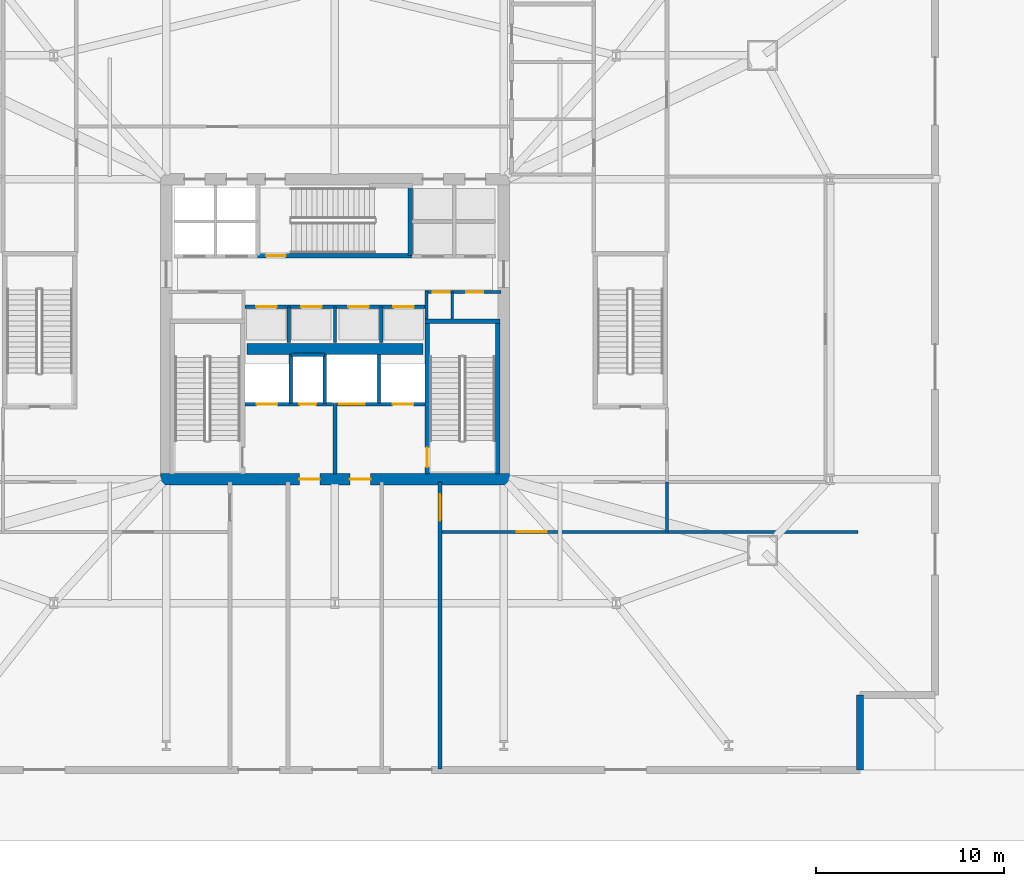
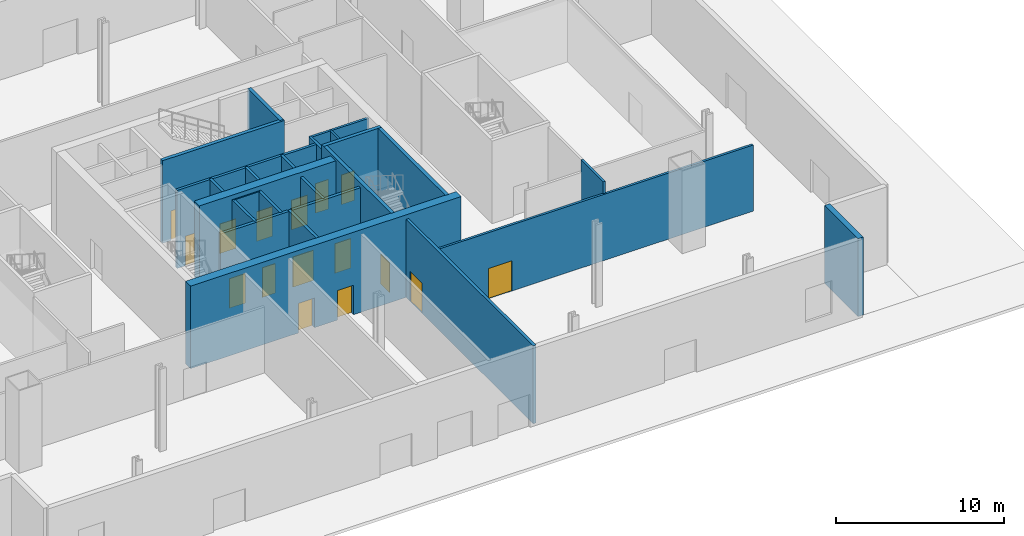
# One storey, part 4 of 10: 25 walls, 16 doors, 16 openings.
"""IFC4 building model written with IfcOpenShell, lengths in metres."""

from ifc_helpers import new_model, si_unit, direction, frame, frame_2d, origin, place, context, subcontext, project, spatial, rectangle, extrude, material, layer, layer_set, type_object, element, fill, save


model = new_model("IFC4")

# Units and contexts
model_context = context("Model", 3, precision=1e-05, world=origin(), true_north=direction((0.0, 1.0)))
body_context = subcontext(model_context, "Body", "Model", "MODEL_VIEW")
ifc_project = project(units=[si_unit("LENGTHUNIT", "METRE"), si_unit("AREAUNIT", "SQUARE_METRE"), si_unit("VOLUMEUNIT", "CUBIC_METRE"), si_unit("PLANEANGLEUNIT", "RADIAN"), si_unit("MASSUNIT", "GRAM", prefix="KILO")], contexts=[model_context])

# Site, building, storey
site_placement = place(None, origin())
site = spatial("IfcSite", under=ifc_project, at=site_placement, CompositionType="ELEMENT")
building_placement = place(site_placement, origin())
building = spatial("IfcBuilding", under=site, at=building_placement, Name="Haldenkirk Collegiate Tower", CompositionType="ELEMENT")
storey_placement = place(building_placement, origin())
storey = spatial("IfcBuildingStorey", under=building, at=storey_placement, Name="L00", CompositionType="ELEMENT", Elevation=0.0)

# Wall, openings, doors
ifc_material_1 = material(Name="Concrete f'c 70 MPa", Category="concrete")
ifc_layer_1 = layer(ifc_material_1, 0.60009765625)
ifc_layer_set_1 = layer_set([ifc_layer_1], Name="Concrete f'c 70 MPa")
wall_type_1 = type_object("IfcWallType", Name="WL-CORE-600", PredefinedType="SHEAR", material=ifc_layer_set_1)
wall_1_placement = place(storey_placement, frame((26.699951171875, 18.0, 0.0), z_axis=(0.0, 0.0, 1.0), x_axis=(1.0, 0.0, 0.0)))
wall_1 = element("IfcWall", 1, at=wall_1_placement, inside=storey, type_object=wall_type_1, Name="L00 central core shear wall S", PredefinedType="SHEAR", context=body_context, shape_type="SweptSolid", body=[
    extrude(rectangle(XDim=18.60009765625, YDim=0.60009765625, at=frame_2d((9.300048828125, 0.0))), origin(), (0.0, 0.0, 1.0), 6.0),
])
opening_1_placement = place(wall_1_placement, frame((7.39990234375, 0.0, 0.0)))
opening_1 = element("IfcOpeningElement", 2, at=opening_1_placement, cuts=wall_1, Name="Opening D-02", PredefinedType="OPENING", context=body_context, shape_type="SweptSolid", body=[
    extrude(rectangle(XDim=1.10009765625, YDim=2.14990234375, at=frame_2d((0.550048828125, 1.074951171875))), frame((0.0, 0.31005859375, 0.0), z_axis=(0.0, -1.0, 0.0), x_axis=(1.0, 0.0, 0.0)), (0.0, 0.0, 1.0), 0.6201171875),
])
opening_2_placement = place(wall_1_placement, frame((10.10009765625, 0.0, 0.0)))
opening_2 = element("IfcOpeningElement", 3, at=opening_2_placement, cuts=wall_1, Name="Opening D-02", PredefinedType="OPENING", context=body_context, shape_type="SweptSolid", body=[
    extrude(rectangle(XDim=1.10009765625, YDim=2.14990234375, at=frame_2d((0.550048828125, 1.074951171875))), frame((0.0, 0.31005859375, 0.0), z_axis=(0.0, -1.0, 0.0), x_axis=(1.0, 0.0, 0.0)), (0.0, 0.0, 1.0), 0.6201171875),
])
ifc_material_2 = material(Name="Galvanized fire-rated hollow steel door", Category="steel")
ifc_layer_2 = layer(ifc_material_2, 0.06005859375)
ifc_layer_set_2 = layer_set([ifc_layer_2], Name="Galvanized fire-rated hollow steel door")
door_type_1 = type_object("IfcDoorType", Name="DR-STAIR-FD90-1100", OperationType="NOTDEFINED", PredefinedType="DOOR", material=ifc_layer_set_2)
door_1_placement = place(opening_1_placement, origin())
door_1 = element("IfcDoor", 4, at=door_1_placement, inside=storey, type_object=door_type_1, Name="L00 Firefighting Lobby 1 door", OperationType="SINGLE_SWING_LEFT", OverallHeight=2.14990234375, OverallWidth=1.10009765625, PredefinedType="DOOR", context=body_context, shape_type="SweptSolid", body=[
    extrude(rectangle(XDim=1.10009765625, YDim=2.14990234375, at=frame_2d((0.550048828125, 1.074951171875))), frame((0.0, 0.02490234375, 0.0), z_axis=(0.0, -1.0, 0.0), x_axis=(1.0, 0.0, 0.0)), (0.0, 0.0, 1.0), 0.050048828125),
])
fill(opening_1, door_1)
door_2_placement = place(opening_2_placement, origin())
door_2 = element("IfcDoor", 5, at=door_2_placement, inside=storey, type_object=door_type_1, Name="L00 Firefighting Lobby 2 door", OperationType="SINGLE_SWING_RIGHT", OverallHeight=2.14990234375, OverallWidth=1.10009765625, PredefinedType="DOOR", context=body_context, shape_type="SweptSolid", body=[
    extrude(rectangle(XDim=1.10009765625, YDim=2.14990234375, at=frame_2d((0.550048828125, 1.074951171875))), frame((0.0, 0.02490234375, 0.0), z_axis=(0.0, -1.0, 0.0), x_axis=(1.0, 0.0, 0.0)), (0.0, 0.0, 1.0), 0.050048828125),
])
fill(opening_2, door_2)

# Walls
wall_2_placement = place(storey_placement, frame((31.31005859375, 24.949951171875, 0.0), z_axis=(0.0, 0.0, 1.0), x_axis=(1.0, 0.0, 0.0)))
element("IfcWall", 6, at=wall_2_placement, inside=storey, type_object=wall_type_1, Name="L00 central core spine shear wall", PredefinedType="SHEAR", context=body_context, shape_type="SweptSolid", body=[
    extrude(rectangle(XDim=9.3798828125, YDim=0.60009765625, at=frame_2d((4.68994140625, 0.0))), origin(), (0.0, 0.0, 1.0), 6.0),
])
ifc_material_3 = material(Name="Precast concrete f'c 40 MPa", Category="concrete")
ifc_layer_3 = layer(ifc_material_3, 0.360107421875)
ifc_layer_set_3 = layer_set([ifc_layer_3], Name="Precast concrete f'c 40 MPa")
wall_type_2 = type_object("IfcWallType", Name="WL-EXT-POD-360", PredefinedType="STANDARD", material=ifc_layer_set_3)
wall_3_placement = place(storey_placement, frame((64.0, 6.5, 0.0), z_axis=(0.0, 0.0, 1.0), x_axis=(0.0, -1.0, 0.0)))
element("IfcWall", 7, at=wall_3_placement, inside=storey, type_object=wall_type_2, Name="L00 podium bronze precast wall 02", PredefinedType="STANDARD", context=body_context, shape_type="SweptSolid", body=[
    extrude(rectangle(XDim=4.0, YDim=0.360107421875, at=frame_2d((2.0, 0.0))), origin(), (0.0, 0.0, 1.0), 5.669921875),
])

# Wall, openings, doors
ifc_material_4 = material(Name="Acoustic fire-rated gypsum partition", Category="concrete")
ifc_layer_4 = layer(ifc_material_4, 0.159912109375)
ifc_layer_set_4 = layer_set([ifc_layer_4], Name="Acoustic fire-rated gypsum partition")
wall_type_3 = type_object("IfcWallType", Name="WL-INT-CORR-160", PredefinedType="PARTITIONING", material=ifc_layer_set_4)
wall_4_placement = place(storey_placement, frame((40.800048828125, 27.97998046875, 0.0), z_axis=(0.0, 0.0, 1.0), x_axis=(1.0, 0.0, 0.0)))
wall_4 = element("IfcWall", 8, at=wall_4_placement, inside=storey, type_object=wall_type_3, Name="L00 interior partition IW-L00-VCSE-N", PredefinedType="PARTITIONING", context=body_context, shape_type="SweptSolid", body=[
    extrude(rectangle(XDim=4.050048828125, YDim=0.159912109375, at=frame_2d((2.02490234375, 0.0))), origin(), (0.0, 0.0, 1.0), 5.669921875),
])
opening_3_placement = place(wall_4_placement, frame((0.407470703125, 0.0, 0.0)))
opening_3 = element("IfcOpeningElement", 9, at=opening_3_placement, cuts=wall_4, Name="Opening D-11", PredefinedType="OPENING", context=body_context, shape_type="SweptSolid", body=[
    extrude(rectangle(XDim=0.89990234375, YDim=2.14990234375, at=frame_2d((0.449951171875, 1.074951171875))), frame((0.0, 0.08984375, 0.0), z_axis=(0.0, -1.0, 0.0), x_axis=(1.0, 0.0, 0.0)), (0.0, 0.0, 1.0), 0.179931640625),
])
opening_4_placement = place(wall_4_placement, frame((2.199951171875, 0.0, 0.0)))
opening_4 = element("IfcOpeningElement", 10, at=opening_4_placement, cuts=wall_4, Name="Opening D-11", PredefinedType="OPENING", context=body_context, shape_type="SweptSolid", body=[
    extrude(rectangle(XDim=0.89990234375, YDim=2.14990234375, at=frame_2d((0.449951171875, 1.074951171875))), frame((0.0, 0.08984375, 0.0), z_axis=(0.0, -1.0, 0.0), x_axis=(1.0, 0.0, 0.0)), (0.0, 0.0, 1.0), 0.179931640625),
])
ifc_material_5 = material(Name="Solid-core architectural oak fire door", Category="wood")
ifc_layer_5 = layer(ifc_material_5, 0.06005859375)
ifc_layer_set_5 = layer_set([ifc_layer_5], Name="Solid-core architectural oak fire door")
door_type_2 = type_object("IfcDoorType", Name="DR-INT-FD60-900", OperationType="NOTDEFINED", PredefinedType="DOOR", material=ifc_layer_set_5)
door_3_placement = place(opening_3_placement, origin())
door_3 = element("IfcDoor", 11, at=door_3_placement, inside=storey, type_object=door_type_2, Name="L00 core copy room door", OperationType="SINGLE_SWING_RIGHT", OverallHeight=2.14990234375, OverallWidth=0.89990234375, PredefinedType="DOOR", context=body_context, shape_type="SweptSolid", body=[
    extrude(rectangle(XDim=0.89990234375, YDim=2.14990234375, at=frame_2d((0.449951171875, 1.074951171875))), frame((0.0, 0.02490234375, 0.0), z_axis=(0.0, -1.0, 0.0), x_axis=(1.0, 0.0, 0.0)), (0.0, 0.0, 1.0), 0.050048828125),
])
fill(opening_3, door_3)
door_4_placement = place(opening_4_placement, origin())
door_4 = element("IfcDoor", 12, at=door_4_placement, inside=storey, type_object=door_type_2, Name="L00 core records store door", OperationType="SINGLE_SWING_LEFT", OverallHeight=2.14990234375, OverallWidth=0.89990234375, PredefinedType="DOOR", context=body_context, shape_type="SweptSolid", body=[
    extrude(rectangle(XDim=0.89990234375, YDim=2.14990234375, at=frame_2d((0.449951171875, 1.074951171875))), frame((0.0, 0.02490234375, 0.0), z_axis=(0.0, -1.0, 0.0), x_axis=(1.0, 0.0, 0.0)), (0.0, 0.0, 1.0), 0.050048828125),
])
fill(opening_4, door_4)

# Walls
wall_5_placement = place(storey_placement, frame((40.8798828125, 26.5400390625, 0.0), z_axis=(0.0, 0.0, 1.0), x_axis=(0.0, 1.0, 0.0)))
element("IfcWall", 13, at=wall_5_placement, inside=storey, type_object=wall_type_3, Name="L00 interior partition IW-L00-VCSE-W", PredefinedType="PARTITIONING", context=body_context, shape_type="SweptSolid", body=[
    extrude(rectangle(XDim=1.510009765625, YDim=0.159912109375, at=frame_2d((0.7548828125, 0.0))), origin(), (0.0, 0.0, 1.0), 5.669921875),
])
wall_6_placement = place(storey_placement, frame((53.699951171875, 15.199951171875, 0.0), z_axis=(0.0, 0.0, 1.0), x_axis=(0.0, 1.0, 0.0)))
element("IfcWall", 14, at=wall_6_placement, inside=storey, type_object=wall_type_3, Name="L00 interior partition IW-L00-CSE", PredefinedType="PARTITIONING", context=body_context, shape_type="SweptSolid", body=[
    extrude(rectangle(XDim=2.650146484375, YDim=0.159912109375, at=frame_2d((1.3251953125, 0.0))), origin(), (0.0, 0.0, 1.0), 5.669921875),
])

# Wall, opening, door
wall_7_placement = place(storey_placement, frame((41.60009765625, 15.199951171875, 0.0), z_axis=(0.0, 0.0, 1.0), x_axis=(1.0, 0.0, 0.0)))
wall_7 = element("IfcWall", 15, at=wall_7_placement, inside=storey, type_object=wall_type_3, Name="L00 interior partition IW-L00-FOYE", PredefinedType="PARTITIONING", context=body_context, shape_type="SweptSolid", body=[
    extrude(rectangle(XDim=22.2998046875, YDim=0.159912109375, at=frame_2d((11.14990234375, 0.0))), origin(), (0.0, 0.0, 1.0), 4.802978515625),
])
opening_5_placement = place(wall_7_placement, frame((4.10009765625, 0.0, 0.0)))
opening_5 = element("IfcOpeningElement", 16, at=opening_5_placement, cuts=wall_7, Name="Opening D-08", PredefinedType="OPENING", context=body_context, shape_type="SweptSolid", body=[
    extrude(rectangle(XDim=1.60009765625, YDim=2.199951171875, at=frame_2d((0.800048828125, 1.10009765625))), frame((0.0, 0.08984375, 0.0), z_axis=(0.0, -1.0, 0.0), x_axis=(1.0, 0.0, 0.0)), (0.0, 0.0, 1.0), 0.179931640625),
])
ifc_layer_6 = layer(ifc_material_5, 0.06005859375)
ifc_layer_set_6 = layer_set([ifc_layer_6], Name="Solid-core architectural oak fire door")
door_type_3 = type_object("IfcDoorType", Name="DR-DBL-FD60-1600", OperationType="NOTDEFINED", PredefinedType="DOOR", material=ifc_layer_set_6)
door_5_placement = place(opening_5_placement, origin())
door_5 = element("IfcDoor", 17, at=door_5_placement, inside=storey, type_object=door_type_3, Name="East foyer corridor door", OperationType="DOUBLE_DOOR_SINGLE_SWING", OverallHeight=2.199951171875, OverallWidth=1.60009765625, PredefinedType="DOOR", context=body_context, shape_type="SweptSolid", body=[
    extrude(rectangle(XDim=1.60009765625, YDim=2.199951171875, at=frame_2d((0.800048828125, 1.10009765625))), frame((0.0, 0.02490234375, 0.0), z_axis=(0.0, -1.0, 0.0), x_axis=(1.0, 0.0, 0.0)), (0.0, 0.0, 1.0), 0.050048828125),
])
fill(opening_5, door_5)

# Walls
ifc_material_6 = material(Name="Fire-rated gypsum shaftboard assembly", Category="concrete")
ifc_layer_7 = layer(ifc_material_6, 0.179931640625)
ifc_layer_set_7 = layer_set([ifc_layer_7], Name="Fire-rated gypsum shaftboard assembly")
wall_type_4 = type_object("IfcWallType", Name="WL-INT-SHAFT-180", PredefinedType="PARTITIONING", material=ifc_layer_set_7)
for number, where, z_axis, x_axis, name in (
    (18, (33.64990234375, 22.050048828125, 0.0), (0.0, 0.0, 1.0), (0.0, 1.0, 0.0), "L00 interior partition IW-L00-FL1E"),
    (19, (35.449951171875, 22.050048828125, 0.0), (0.0, 0.0, 1.0), (0.0, 1.0, 0.0), "L00 interior partition IW-L00-GL1W"),
):
    element("IfcWall", number, at=place(storey_placement, frame(where, z_axis=z_axis, x_axis=x_axis)), inside=storey, type_object=wall_type_4, Name=name, PredefinedType="PARTITIONING", context=body_context, shape_type="SweptSolid", body=[
        extrude(rectangle(XDim=2.599853515625, YDim=0.179931640625, at=frame_2d((1.2998046875, 0.0))), origin(), (0.0, 0.0, 1.0), 5.669921875),
    ])
wall_8_placement = place(storey_placement, frame((33.64990234375, 24.64990234375, 0.0), z_axis=(0.0, 0.0, 1.0), x_axis=(1.0, 0.0, 0.0)))
element("IfcWall", 20, at=wall_8_placement, inside=storey, type_object=wall_type_4, Name="L00 interior partition IW-L00-RSRN", PredefinedType="PARTITIONING", context=body_context, shape_type="SweptSolid", body=[
    extrude(rectangle(XDim=1.800048828125, YDim=0.179931640625, at=frame_2d((0.89990234375, 0.0))), origin(), (0.0, 0.0, 1.0), 5.669921875),
])
wall_9_placement = place(storey_placement, frame((38.35009765625, 22.050048828125, 0.0), z_axis=(0.0, 0.0, 1.0), x_axis=(0.0, 1.0, 0.0)))
element("IfcWall", 21, at=wall_9_placement, inside=storey, type_object=wall_type_4, Name="L00 interior partition IW-L00-GL1E", PredefinedType="PARTITIONING", context=body_context, shape_type="SweptSolid", body=[
    extrude(rectangle(XDim=2.599853515625, YDim=0.179931640625, at=frame_2d((1.2998046875, 0.0))), origin(), (0.0, 0.0, 1.0), 5.669921875),
])

# Wall, openings, doors
wall_10_placement = place(storey_placement, frame((31.199951171875, 27.199951171875, 0.0), z_axis=(0.0, 0.0, 1.0), x_axis=(1.0, 0.0, 0.0)))
wall_10 = element("IfcWall", 22, at=wall_10_placement, inside=storey, type_object=wall_type_4, Name="L00 interior partition IW-L00-PHN", PredefinedType="PARTITIONING", context=body_context, shape_type="SweptSolid", body=[
    extrude(rectangle(XDim=9.60009765625, YDim=0.179931640625, at=frame_2d((4.800048828125, 0.0))), origin(), (0.0, 0.0, 1.0), 5.669921875),
])
opening_6_placement = place(wall_10_placement, frame((0.590087890625, 0.0, 0.0)))
opening_6 = element("IfcOpeningElement", 23, at=opening_6_placement, cuts=wall_10, Name="Opening LD-11", PredefinedType="OPENING", context=body_context, shape_type="SweptSolid", body=[
    extrude(rectangle(XDim=1.10009765625, YDim=2.14990234375, at=frame_2d((0.550048828125, 1.074951171875))), frame((0.0, 0.099853515625, 0.0), z_axis=(0.0, -1.0, 0.0), x_axis=(1.0, 0.0, 0.0)), (0.0, 0.0, 1.0), 0.199951171875),
])
opening_7_placement = place(wall_10_placement, frame((2.989990234375, 0.0, 0.0)))
opening_7 = element("IfcOpeningElement", 24, at=opening_7_placement, cuts=wall_10, Name="Opening LD-11", PredefinedType="OPENING", context=body_context, shape_type="SweptSolid", body=[
    extrude(rectangle(XDim=1.10009765625, YDim=2.14990234375, at=frame_2d((0.550048828125, 1.074951171875))), frame((0.0, 0.099853515625, 0.0), z_axis=(0.0, -1.0, 0.0), x_axis=(1.0, 0.0, 0.0)), (0.0, 0.0, 1.0), 0.199951171875),
])
opening_8_placement = place(wall_10_placement, frame((5.510009765625, 0.0, 0.0)))
opening_8 = element("IfcOpeningElement", 25, at=opening_8_placement, cuts=wall_10, Name="Opening LD-11", PredefinedType="OPENING", context=body_context, shape_type="SweptSolid", body=[
    extrude(rectangle(XDim=1.10009765625, YDim=2.14990234375, at=frame_2d((0.550048828125, 1.074951171875))), frame((0.0, 0.099853515625, 0.0), z_axis=(0.0, -1.0, 0.0), x_axis=(1.0, 0.0, 0.0)), (0.0, 0.0, 1.0), 0.199951171875),
])
opening_9_placement = place(wall_10_placement, frame((7.909912109375, 0.0, 0.0)))
opening_9 = element("IfcOpeningElement", 26, at=opening_9_placement, cuts=wall_10, Name="Opening LD-11", PredefinedType="OPENING", context=body_context, shape_type="SweptSolid", body=[
    extrude(rectangle(XDim=1.10009765625, YDim=2.14990234375, at=frame_2d((0.550048828125, 1.074951171875))), frame((0.0, 0.099853515625, 0.0), z_axis=(0.0, -1.0, 0.0), x_axis=(1.0, 0.0, 0.0)), (0.0, 0.0, 1.0), 0.199951171875),
])
ifc_material_7 = material(Name="Brushed architectural stainless steel", Category="steel")
ifc_layer_8 = layer(ifc_material_7, 0.06005859375)
ifc_layer_set_8 = layer_set([ifc_layer_8], Name="Brushed architectural stainless steel")
door_type_4 = type_object("IfcDoorType", Name="LD-PASS-1100", OperationType="NOTDEFINED", PredefinedType="DOOR", material=ifc_layer_set_8)
door_6_placement = place(opening_6_placement, origin())
door_6 = element("IfcDoor", 27, at=door_6_placement, inside=storey, type_object=door_type_4, Name="L00 Elevator PH1 sliding landing door", OperationType="SLIDING_TO_LEFT", OverallHeight=2.14990234375, OverallWidth=1.10009765625, PredefinedType="DOOR", context=body_context, shape_type="SweptSolid", body=[
    extrude(rectangle(XDim=1.10009765625, YDim=2.14990234375, at=frame_2d((0.550048828125, 1.074951171875))), frame((0.0, 0.02490234375, 0.0), z_axis=(0.0, -1.0, 0.0), x_axis=(1.0, 0.0, 0.0)), (0.0, 0.0, 1.0), 0.050048828125),
])
fill(opening_6, door_6)
door_7_placement = place(opening_7_placement, origin())
door_7 = element("IfcDoor", 28, at=door_7_placement, inside=storey, type_object=door_type_4, Name="L00 Elevator PH2 sliding landing door", OperationType="SLIDING_TO_LEFT", OverallHeight=2.14990234375, OverallWidth=1.10009765625, PredefinedType="DOOR", context=body_context, shape_type="SweptSolid", body=[
    extrude(rectangle(XDim=1.10009765625, YDim=2.14990234375, at=frame_2d((0.550048828125, 1.074951171875))), frame((0.0, 0.02490234375, 0.0), z_axis=(0.0, -1.0, 0.0), x_axis=(1.0, 0.0, 0.0)), (0.0, 0.0, 1.0), 0.050048828125),
])
fill(opening_7, door_7)
door_8_placement = place(opening_8_placement, origin())
door_8 = element("IfcDoor", 29, at=door_8_placement, inside=storey, type_object=door_type_4, Name="L00 Elevator PH3 sliding landing door", OperationType="SLIDING_TO_LEFT", OverallHeight=2.14990234375, OverallWidth=1.10009765625, PredefinedType="DOOR", context=body_context, shape_type="SweptSolid", body=[
    extrude(rectangle(XDim=1.10009765625, YDim=2.14990234375, at=frame_2d((0.550048828125, 1.074951171875))), frame((0.0, 0.02490234375, 0.0), z_axis=(0.0, -1.0, 0.0), x_axis=(1.0, 0.0, 0.0)), (0.0, 0.0, 1.0), 0.050048828125),
])
fill(opening_8, door_8)
door_9_placement = place(opening_9_placement, origin())
door_9 = element("IfcDoor", 30, at=door_9_placement, inside=storey, type_object=door_type_4, Name="L00 Elevator PH4 sliding landing door", OperationType="SLIDING_TO_LEFT", OverallHeight=2.14990234375, OverallWidth=1.10009765625, PredefinedType="DOOR", context=body_context, shape_type="SweptSolid", body=[
    extrude(rectangle(XDim=1.10009765625, YDim=2.14990234375, at=frame_2d((0.550048828125, 1.074951171875))), frame((0.0, 0.02490234375, 0.0), z_axis=(0.0, -1.0, 0.0), x_axis=(1.0, 0.0, 0.0)), (0.0, 0.0, 1.0), 0.050048828125),
])
fill(opening_9, door_9)

# Walls
for number, where, z_axis, x_axis, name in (
    (31, (33.5400390625, 25.300048828125, 0.0), (0.0, 0.0, 1.0), (0.0, 1.0, 0.0), "L00 interior partition IW-L00-PHV1"),
    (32, (36.0, 25.300048828125, 0.0), (0.0, 0.0, 1.0), (0.0, 1.0, 0.0), "L00 interior partition IW-L00-PHV2"),
    (33, (38.4599609375, 25.300048828125, 0.0), (0.0, 0.0, 1.0), (0.0, 1.0, 0.0), "L00 interior partition IW-L00-PHV3"),
):
    element("IfcWall", number, at=place(storey_placement, frame(where, z_axis=z_axis, x_axis=x_axis)), inside=storey, type_object=wall_type_4, Name=name, PredefinedType="PARTITIONING", context=body_context, shape_type="SweptSolid", body=[
        extrude(rectangle(XDim=1.89990234375, YDim=0.179931640625, at=frame_2d((0.949951171875, 0.0))), origin(), (0.0, 0.0, 1.0), 5.669921875),
    ])
ifc_layer_9 = layer(ifc_material_6, 0.199951171875)
ifc_layer_set_9 = layer_set([ifc_layer_9], Name="Fire-rated gypsum shaftboard assembly")
wall_type_5 = type_object("IfcWallType", Name="WL-INT-SHAFT-200", PredefinedType="PARTITIONING", material=ifc_layer_set_9)
wall_11_placement = place(storey_placement, frame((36.0, 18.280029296875, 0.0), z_axis=(0.0, 0.0, 1.0), x_axis=(0.0, 1.0, 0.0)))
element("IfcWall", 34, at=wall_11_placement, inside=storey, type_object=wall_type_5, Name="L00 interior partition IW-L00-FFLM", PredefinedType="PARTITIONING", context=body_context, shape_type="SweptSolid", body=[
    extrude(rectangle(XDim=3.77001953125, YDim=0.199951171875, at=frame_2d((1.885009765625, 0.0))), origin(), (0.0, 0.0, 1.0), 5.669921875),
])

# Wall, openings, doors
wall_12_placement = place(storey_placement, frame((31.18994140625, 22.0, 0.0), z_axis=(0.0, 0.0, 1.0), x_axis=(1.0, 0.0, 0.0)))
wall_12 = element("IfcWall", 35, at=wall_12_placement, inside=storey, type_object=wall_type_5, Name="L00 interior partition IW-L00-FFL1N", PredefinedType="PARTITIONING", context=body_context, shape_type="SweptSolid", body=[
    extrude(rectangle(XDim=4.68994140625, YDim=0.199951171875, at=frame_2d((2.344970703125, 0.0))), origin(), (0.0, 0.0, 1.0), 5.669921875),
])
opening_10_placement = place(wall_12_placement, frame((2.909912109375, 0.0, 0.0)))
opening_10 = element("IfcOpeningElement", 36, at=opening_10_placement, cuts=wall_12, Name="Opening D-06", PredefinedType="OPENING", context=body_context, shape_type="SweptSolid", body=[
    extrude(rectangle(XDim=0.89990234375, YDim=2.14990234375, at=frame_2d((0.449951171875, 1.074951171875))), frame((0.0, 0.10986328125, 0.0), z_axis=(0.0, -1.0, 0.0), x_axis=(1.0, 0.0, 0.0)), (0.0, 0.0, 1.0), 0.219970703125),
])
opening_11_placement = place(wall_12_placement, frame((0.635009765625, 0.0, 0.0)))
opening_11 = element("IfcOpeningElement", 37, at=opening_11_placement, cuts=wall_12, Name="Opening LD-12", PredefinedType="OPENING", context=body_context, shape_type="SweptSolid", body=[
    extrude(rectangle(XDim=1.10009765625, YDim=2.14990234375, at=frame_2d((0.550048828125, 1.074951171875))), frame((0.0, 0.10986328125, 0.0), z_axis=(0.0, -1.0, 0.0), x_axis=(1.0, 0.0, 0.0)), (0.0, 0.0, 1.0), 0.219970703125),
])
ifc_layer_10 = layer(ifc_material_2, 0.06005859375)
ifc_layer_set_10 = layer_set([ifc_layer_10], Name="Galvanized fire-rated hollow steel door")
door_type_5 = type_object("IfcDoorType", Name="DR-INT-FD90-900", OperationType="NOTDEFINED", PredefinedType="DOOR", material=ifc_layer_set_10)
door_10_placement = place(opening_10_placement, origin())
door_10 = element("IfcDoor", 38, at=door_10_placement, inside=storey, type_object=door_type_5, Name="L00 electrical riser door", OperationType="SINGLE_SWING_LEFT", OverallHeight=2.14990234375, OverallWidth=0.89990234375, PredefinedType="DOOR", context=body_context, shape_type="SweptSolid", body=[
    extrude(rectangle(XDim=0.89990234375, YDim=2.14990234375, at=frame_2d((0.449951171875, 1.074951171875))), frame((0.0, 0.02490234375, 0.0), z_axis=(0.0, -1.0, 0.0), x_axis=(1.0, 0.0, 0.0)), (0.0, 0.0, 1.0), 0.050048828125),
])
fill(opening_10, door_10)
ifc_layer_11 = layer(ifc_material_7, 0.06005859375)
ifc_layer_set_11 = layer_set([ifc_layer_11], Name="Brushed architectural stainless steel")
door_type_6 = type_object("IfcDoorType", Name="LD-FIRE-1100", OperationType="NOTDEFINED", PredefinedType="DOOR", material=ifc_layer_set_11)
door_11_placement = place(opening_11_placement, origin())
door_11 = element("IfcDoor", 39, at=door_11_placement, inside=storey, type_object=door_type_6, Name="L00 Elevator FL1 sliding landing door", OperationType="SLIDING_TO_LEFT", OverallHeight=2.14990234375, OverallWidth=1.10009765625, PredefinedType="DOOR", context=body_context, shape_type="SweptSolid", body=[
    extrude(rectangle(XDim=1.10009765625, YDim=2.14990234375, at=frame_2d((0.550048828125, 1.074951171875))), frame((0.0, 0.02490234375, 0.0), z_axis=(0.0, -1.0, 0.0), x_axis=(1.0, 0.0, 0.0)), (0.0, 0.0, 1.0), 0.050048828125),
])
fill(opening_11, door_11)

wall_13_placement = place(storey_placement, frame((36.1201171875, 22.0, 0.0), z_axis=(0.0, 0.0, 1.0), x_axis=(1.0, 0.0, 0.0)))
wall_13 = element("IfcWall", 40, at=wall_13_placement, inside=storey, type_object=wall_type_5, Name="L00 interior partition IW-L00-FFL2N", PredefinedType="PARTITIONING", context=body_context, shape_type="SweptSolid", body=[
    extrude(rectangle(XDim=4.68994140625, YDim=0.199951171875, at=frame_2d((2.344970703125, 0.0))), origin(), (0.0, 0.0, 1.0), 5.669921875),
])
opening_12_placement = place(wall_13_placement, frame((2.955078125, 0.0, 0.0)))
opening_12 = element("IfcOpeningElement", 41, at=opening_12_placement, cuts=wall_13, Name="Opening LD-12", PredefinedType="OPENING", context=body_context, shape_type="SweptSolid", body=[
    extrude(rectangle(XDim=1.10009765625, YDim=2.14990234375, at=frame_2d((0.550048828125, 1.074951171875))), frame((0.0, 0.10986328125, 0.0), z_axis=(0.0, -1.0, 0.0), x_axis=(1.0, 0.0, 0.0)), (0.0, 0.0, 1.0), 0.219970703125),
])
opening_13_placement = place(wall_13_placement, frame((0.080078125, 0.0, 0.0)))
opening_13 = element("IfcOpeningElement", 42, at=opening_13_placement, cuts=wall_13, Name="Opening LD-13", PredefinedType="OPENING", context=body_context, shape_type="SweptSolid", body=[
    extrude(rectangle(XDim=1.39990234375, YDim=2.199951171875, at=frame_2d((0.699951171875, 1.10009765625))), frame((0.0, 0.10986328125, 0.0), z_axis=(0.0, -1.0, 0.0), x_axis=(1.0, 0.0, 0.0)), (0.0, 0.0, 1.0), 0.219970703125),
])
door_12_placement = place(opening_12_placement, origin())
door_12 = element("IfcDoor", 43, at=door_12_placement, inside=storey, type_object=door_type_6, Name="L00 Elevator FL2 sliding landing door", OperationType="SLIDING_TO_LEFT", OverallHeight=2.14990234375, OverallWidth=1.10009765625, PredefinedType="DOOR", context=body_context, shape_type="SweptSolid", body=[
    extrude(rectangle(XDim=1.10009765625, YDim=2.14990234375, at=frame_2d((0.550048828125, 1.074951171875))), frame((0.0, 0.02490234375, 0.0), z_axis=(0.0, -1.0, 0.0), x_axis=(1.0, 0.0, 0.0)), (0.0, 0.0, 1.0), 0.050048828125),
])
fill(opening_12, door_12)
ifc_layer_12 = layer(ifc_material_7, 0.06005859375)
ifc_layer_set_12 = layer_set([ifc_layer_12], Name="Brushed architectural stainless steel")
door_type_7 = type_object("IfcDoorType", Name="LD-GOODS-1400", OperationType="NOTDEFINED", PredefinedType="DOOR", material=ifc_layer_set_12)
door_13_placement = place(opening_13_placement, origin())
door_13 = element("IfcDoor", 44, at=door_13_placement, inside=storey, type_object=door_type_7, Name="L00 Elevator GL1 sliding landing door", OperationType="SLIDING_TO_LEFT", OverallHeight=2.199951171875, OverallWidth=1.39990234375, PredefinedType="DOOR", context=body_context, shape_type="SweptSolid", body=[
    extrude(rectangle(XDim=1.39990234375, YDim=2.199951171875, at=frame_2d((0.699951171875, 1.10009765625))), frame((0.0, 0.02490234375, 0.0), z_axis=(0.0, -1.0, 0.0), x_axis=(1.0, 0.0, 0.0)), (0.0, 0.0, 1.0), 0.050048828125),
])
fill(opening_13, door_13)

# Wall, opening, door
wall_14_placement = place(storey_placement, frame((41.60009765625, 2.550048828125, 0.0), z_axis=(0.0, 0.0, 1.0), x_axis=(0.0, 1.0, 0.0)))
wall_14 = element("IfcWall", 45, at=wall_14_placement, inside=storey, type_object=wall_type_5, Name="L00 interior partition IW-L00-EP2E", PredefinedType="PARTITIONING", context=body_context, shape_type="SweptSolid", body=[
    extrude(rectangle(XDim=15.300048828125, YDim=0.199951171875, at=frame_2d((7.64990234375, 0.0))), origin(), (0.0, 0.0, 1.0), 5.669921875),
])
opening_14_placement = place(wall_14_placement, frame((13.25, 0.0, 0.0)))
opening_14 = element("IfcOpeningElement", 46, at=opening_14_placement, cuts=wall_14, Name="Opening D-03", PredefinedType="OPENING", context=body_context, shape_type="SweptSolid", body=[
    extrude(rectangle(XDim=1.39990234375, YDim=2.199951171875, at=frame_2d((0.699951171875, 1.10009765625))), frame((0.0, 0.10986328125, 0.0), z_axis=(0.0, -1.0, 0.0), x_axis=(1.0, 0.0, 0.0)), (0.0, 0.0, 1.0), 0.219970703125),
])
ifc_layer_13 = layer(ifc_material_2, 0.06005859375)
ifc_layer_set_13 = layer_set([ifc_layer_13], Name="Galvanized fire-rated hollow steel door")
door_type_8 = type_object("IfcDoorType", Name="DR-LOBBY-FD90-1400", OperationType="NOTDEFINED", PredefinedType="DOOR", material=ifc_layer_set_13)
door_14_placement = place(opening_14_placement, origin())
door_14 = element("IfcDoor", 47, at=door_14_placement, inside=storey, type_object=door_type_8, Name="L00 exit passage SE door", OperationType="DOUBLE_DOOR_SINGLE_SWING", OverallHeight=2.199951171875, OverallWidth=1.39990234375, PredefinedType="DOOR", context=body_context, shape_type="SweptSolid", body=[
    extrude(rectangle(XDim=1.39990234375, YDim=2.199951171875, at=frame_2d((0.699951171875, 1.10009765625))), frame((0.0, 0.02490234375, 0.0), z_axis=(0.0, -1.0, 0.0), x_axis=(1.0, 0.0, 0.0)), (0.0, 0.0, 1.0), 0.050048828125),
])
fill(opening_14, door_14)

# Wall
ifc_layer_14 = layer(ifc_material_4, 0.1201171875)
ifc_layer_set_14 = layer_set([ifc_layer_14], Name="Acoustic fire-rated gypsum partition")
wall_type_6 = type_object("IfcWallType", Name="WL-INT-WET-120", PredefinedType="PARTITIONING", material=ifc_layer_set_14)
wall_15_placement = place(storey_placement, frame((42.25, 26.5400390625, 0.0), z_axis=(0.0, 0.0, 1.0), x_axis=(0.0, 1.0, 0.0)))
element("IfcWall", 48, at=wall_15_placement, inside=storey, type_object=wall_type_6, Name="L00 interior partition IW-L00-VCSE-M", PredefinedType="PARTITIONING", context=body_context, shape_type="SweptSolid", body=[
    extrude(rectangle(XDim=1.43994140625, YDim=0.1201171875, at=frame_2d((0.719970703125, 0.0))), origin(), (0.0, 0.0, 1.0), 5.669921875),
])

# Wall, opening, door
ifc_material_8 = material(Name="Concrete f'c 55 MPa", Category="concrete")
ifc_layer_15 = layer(ifc_material_8, 0.239990234375)
ifc_layer_set_15 = layer_set([ifc_layer_15], Name="Concrete f'c 55 MPa")
wall_type_7 = type_object("IfcWallType", Name="WL-SHAFT-240", PredefinedType="SHEAR", material=ifc_layer_set_15)
wall_16_placement = place(storey_placement, frame((40.929931640625, 18.280029296875, 0.0), z_axis=(0.0, 0.0, 1.0), x_axis=(0.0, 1.0, 0.0)))
wall_16 = element("IfcWall", 49, at=wall_16_placement, inside=storey, type_object=wall_type_7, Name="L00 stair shaft shear wall SW-L00-ST2W", PredefinedType="SHEAR", context=body_context, shape_type="SweptSolid", body=[
    extrude(rectangle(XDim=8.260009765625, YDim=0.239990234375, at=frame_2d((4.1298828125, 0.0))), origin(), (0.0, 0.0, 1.0), 6.0),
])
opening_15_placement = place(wall_16_placement, frame((0.364990234375, 0.0, 0.0)))
opening_15 = element("IfcOpeningElement", 50, at=opening_15_placement, cuts=wall_16, Name="Opening D-01", PredefinedType="OPENING", context=body_context, shape_type="SweptSolid", body=[
    extrude(rectangle(XDim=1.050048828125, YDim=2.14990234375, at=frame_2d((0.52490234375, 1.074951171875))), frame((0.0, 0.1298828125, 0.0), z_axis=(0.0, -1.0, 0.0), x_axis=(1.0, 0.0, 0.0)), (0.0, 0.0, 1.0), 0.260009765625),
])
ifc_layer_16 = layer(ifc_material_2, 0.06005859375)
ifc_layer_set_16 = layer_set([ifc_layer_16], Name="Galvanized fire-rated hollow steel door")
door_type_9 = type_object("IfcDoorType", Name="DR-STAIR-FD90-1050", OperationType="NOTDEFINED", PredefinedType="DOOR", material=ifc_layer_set_16)
door_15_placement = place(opening_15_placement, origin())
door_15 = element("IfcDoor", 51, at=door_15_placement, inside=storey, type_object=door_type_9, Name="L00 Stair 2 door", OperationType="SINGLE_SWING_RIGHT", OverallHeight=2.14990234375, OverallWidth=1.050048828125, PredefinedType="DOOR", context=body_context, shape_type="SweptSolid", body=[
    extrude(rectangle(XDim=1.050048828125, YDim=2.14990234375, at=frame_2d((0.52490234375, 1.074951171875))), frame((0.0, 0.02490234375, 0.0), z_axis=(0.0, -1.0, 0.0), x_axis=(1.0, 0.0, 0.0)), (0.0, 0.0, 1.0), 0.050048828125),
])
fill(opening_15, door_15)

# Walls
wall_17_placement = place(storey_placement, frame((40.81005859375, 26.419921875, 0.0), z_axis=(0.0, 0.0, 1.0), x_axis=(1.0, 0.0, 0.0)))
element("IfcWall", 52, at=wall_17_placement, inside=storey, type_object=wall_type_7, Name="L00 stair shaft shear wall SW-L00-ST2N", PredefinedType="SHEAR", context=body_context, shape_type="SweptSolid", body=[
    extrude(rectangle(XDim=3.97998046875, YDim=0.239990234375, at=frame_2d((1.989990234375, 0.0))), origin(), (0.0, 0.0, 1.0), 6.0),
])
wall_18_placement = place(storey_placement, frame((44.669921875, 18.280029296875, 0.0), z_axis=(0.0, 0.0, 1.0), x_axis=(0.0, 1.0, 0.0)))
element("IfcWall", 53, at=wall_18_placement, inside=storey, type_object=wall_type_7, Name="L00 stair shaft shear wall SW-L00-ST2E", PredefinedType="SHEAR", context=body_context, shape_type="SweptSolid", body=[
    extrude(rectangle(XDim=8.260009765625, YDim=0.239990234375, at=frame_2d((4.1298828125, 0.0))), origin(), (0.0, 0.0, 1.0), 6.0),
])

# Wall, opening, door
wall_19_placement = place(storey_placement, frame((31.760009765625, 29.929931640625, 0.0), z_axis=(0.0, 0.0, 1.0), x_axis=(1.0, 0.0, 0.0)))
wall_19 = element("IfcWall", 54, at=wall_19_placement, inside=storey, type_object=wall_type_7, Name="L00 stair shaft shear wall SW-L00-ST3S", PredefinedType="SHEAR", context=body_context, shape_type="SweptSolid", body=[
    extrude(rectangle(XDim=8.3798828125, YDim=0.239990234375, at=frame_2d((4.18994140625, 0.0))), origin(), (0.0, 0.0, 1.0), 6.0),
])
opening_16_placement = place(wall_19_placement, frame((0.56494140625, 0.0, 0.0)))
opening_16 = element("IfcOpeningElement", 55, at=opening_16_placement, cuts=wall_19, Name="Opening D-01", PredefinedType="OPENING", context=body_context, shape_type="SweptSolid", body=[
    extrude(rectangle(XDim=1.050048828125, YDim=2.14990234375, at=frame_2d((0.52490234375, 1.074951171875))), frame((0.0, 0.1298828125, 0.0), z_axis=(0.0, -1.0, 0.0), x_axis=(1.0, 0.0, 0.0)), (0.0, 0.0, 1.0), 0.260009765625),
])
door_16_placement = place(opening_16_placement, origin())
door_16 = element("IfcDoor", 56, at=door_16_placement, inside=storey, type_object=door_type_9, Name="L00 lift lobby Stair 3 door", OperationType="SINGLE_SWING_RIGHT", OverallHeight=2.14990234375, OverallWidth=1.050048828125, PredefinedType="DOOR", context=body_context, shape_type="SweptSolid", body=[
    extrude(rectangle(XDim=1.050048828125, YDim=2.14990234375, at=frame_2d((0.52490234375, 1.074951171875))), frame((0.0, 0.02490234375, 0.0), z_axis=(0.0, -1.0, 0.0), x_axis=(1.0, 0.0, 0.0)), (0.0, 0.0, 1.0), 0.050048828125),
])
fill(opening_16, door_16)

# Wall
wall_20_placement = place(storey_placement, frame((40.02001953125, 29.929931640625, 0.0), z_axis=(0.0, 0.0, 1.0), x_axis=(0.0, 1.0, 0.0)))
element("IfcWall", 57, at=wall_20_placement, inside=storey, type_object=wall_type_7, Name="L00 stair shaft shear wall SW-L00-ST3E", PredefinedType="SHEAR", context=body_context, shape_type="SweptSolid", body=[
    extrude(rectangle(XDim=3.85009765625, YDim=0.239990234375, at=frame_2d((1.925048828125, 0.0))), origin(), (0.0, 0.0, 1.0), 6.0),
])

save(model, "model.ifc")
